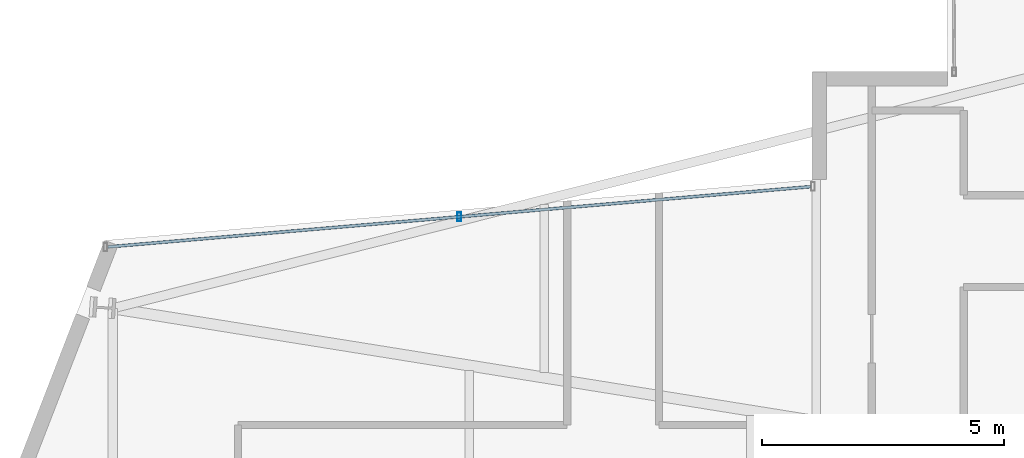
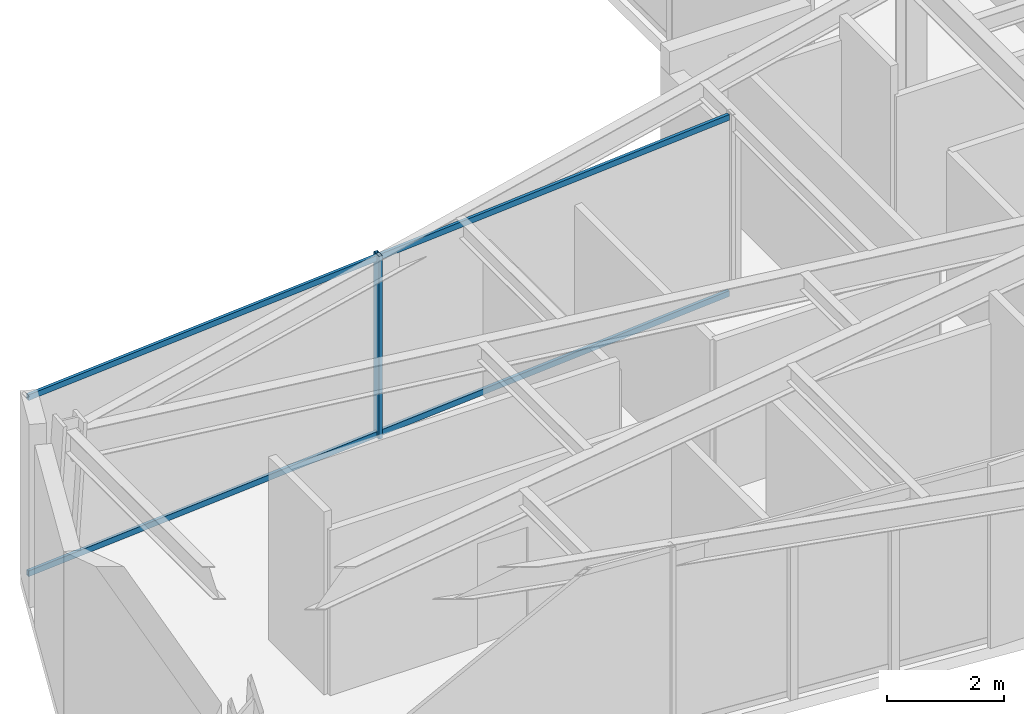
# One storey, part 9 of 26: 3 members, 1 element without a shape of its own.
"""IFC4 building model written with IfcOpenShell, lengths in metres."""

from ifc_helpers import new_model, si_unit, direction, frame, origin, origin_2d, place, context, subcontext, project, spatial, hollow_rectangle, extrude, material, layer, layer_set, material_profile, profile_set, type_object, element, aggregate, save


model = new_model("IFC4")

# Units and contexts
model_context = context("Model", 3, precision=1e-05, world=origin(), true_north=direction((0.0, 1.0)))
body_context = subcontext(model_context, "Body", "Model", "MODEL_VIEW")
ifc_project = project(units=[si_unit("LENGTHUNIT", "METRE"), si_unit("AREAUNIT", "SQUARE_METRE"), si_unit("VOLUMEUNIT", "CUBIC_METRE"), si_unit("PLANEANGLEUNIT", "RADIAN"), si_unit("MASSUNIT", "GRAM", prefix="KILO")], contexts=[model_context])

# Site, building, storey
site_placement = place(None, origin())
site = spatial("IfcSite", under=ifc_project, at=site_placement, CompositionType="ELEMENT")
building_placement = place(site_placement, origin())
building = spatial("IfcBuilding", under=site, at=building_placement, Name="Veymaron Broadcast Tower", CompositionType="ELEMENT")
storey_placement = place(building_placement, frame((0.0, 0.0, 157.35009765625)))
storey = spatial("IfcBuildingStorey", under=building, at=storey_placement, Name="L36", CompositionType="ELEMENT", Elevation=157.35009765625)

# Curtain wall, members
ifc_material_1 = material(Name="Anodised aluminium AA 6063-T6 and laminated low-E dark glass", Category="aluminium")
ifc_layer = layer(ifc_material_1, 0.179931640625)
ifc_layer_set = layer_set([ifc_layer], Name="Anodised aluminium AA 6063-T6 and laminated low-E dark glass")
curtain_wall_type = type_object("IfcCurtainWallType", Name="CW-SYS-03", PredefinedType="NOTDEFINED", material=ifc_layer_set)
curtain_wall_placement = place(storey_placement, origin())
curtain_wall = element("IfcCurtainWall", 1, at=curtain_wall_placement, inside=storey, type_object=curtain_wall_type, Name="L36 dark-glass curtain wall CW-L36-E11-1", PredefinedType="NOTDEFINED")
ifc_material_2 = material(Name="Anodised aluminium AA 6063-T6", Category="aluminium")
ifc_material_profile_1 = material_profile(ifc_material_2, hollow_rectangle(XDim=0.074951171875, YDim=0.179931640625, WallThickness=0.0048828125, at=origin_2d()), Name="AL180X75X5")
ifc_profile_set_1 = profile_set([ifc_material_profile_1], Name="Anodised aluminium AA 6063-T6")
member_type_1 = type_object("IfcMemberType", Name="CW-MUL-02", PredefinedType="MULLION", material=ifc_profile_set_1)
member_1_placement = place(storey_placement, frame((18.96728515625, 29.00390625, 0.0), z_axis=(0.0, 0.0, 1.0), x_axis=(1.0, 0.0, 0.0)))
member_1 = element("IfcMember", 2, at=member_1_placement, type_object=member_type_1, Name="CW-L36-E11-1 mullion 1", PredefinedType="MULLION", context=body_context, shape_type="SweptSolid", body=[
    extrude(hollow_rectangle(XDim=0.074951171875, YDim=0.179931640625, WallThickness=0.0048828125, at=origin_2d()), origin(), (0.0, 0.0, 1.0), 3.809814453125),
])
ifc_material_profile_2 = material_profile(ifc_material_2, hollow_rectangle(XDim=0.06005859375, YDim=0.1201171875, WallThickness=0.00390625, at=origin_2d()), Name="AL120X60X4")
ifc_profile_set_2 = profile_set([ifc_material_profile_2], Name="Anodised aluminium AA 6063-T6")
member_type_2 = type_object("IfcMemberType", Name="CW-TRN-02", PredefinedType="USERDEFINED", material=ifc_profile_set_2)
member_2_placement = place(storey_placement, frame((26.232666015625, 29.626953125, 0.06982421875), z_axis=(-0.996343148228, -0.085441974336, 0.0), x_axis=(0.085441974336, -0.996343148228, 0.0)))
member_2 = element("IfcMember", 3, at=member_2_placement, type_object=member_type_2, Name="CW-L36-E11-1 transom B", ObjectType="TRANSOM", PredefinedType="USERDEFINED", context=body_context, shape_type="SweptSolid", body=[
    extrude(hollow_rectangle(XDim=0.06005859375, YDim=0.1201171875, WallThickness=0.00390625, at=origin_2d()), origin(), (0.0, 0.0, 1.0), 14.583984375),
])
member_3_placement = place(storey_placement, frame((26.232666015625, 29.626953125, 3.739990234375), z_axis=(-0.996343148228, -0.085441974336, 0.0), x_axis=(0.085441974336, -0.996343148228, 0.0)))
member_3 = element("IfcMember", 4, at=member_3_placement, type_object=member_type_2, Name="CW-L36-E11-1 transom T", ObjectType="TRANSOM", PredefinedType="USERDEFINED", context=body_context, shape_type="SweptSolid", body=[
    extrude(hollow_rectangle(XDim=0.06005859375, YDim=0.1201171875, WallThickness=0.00390625, at=origin_2d()), origin(), (0.0, 0.0, 1.0), 14.583984375),
])
aggregate(curtain_wall, [member_1, member_2, member_3])

save(model, "model.ifc")
